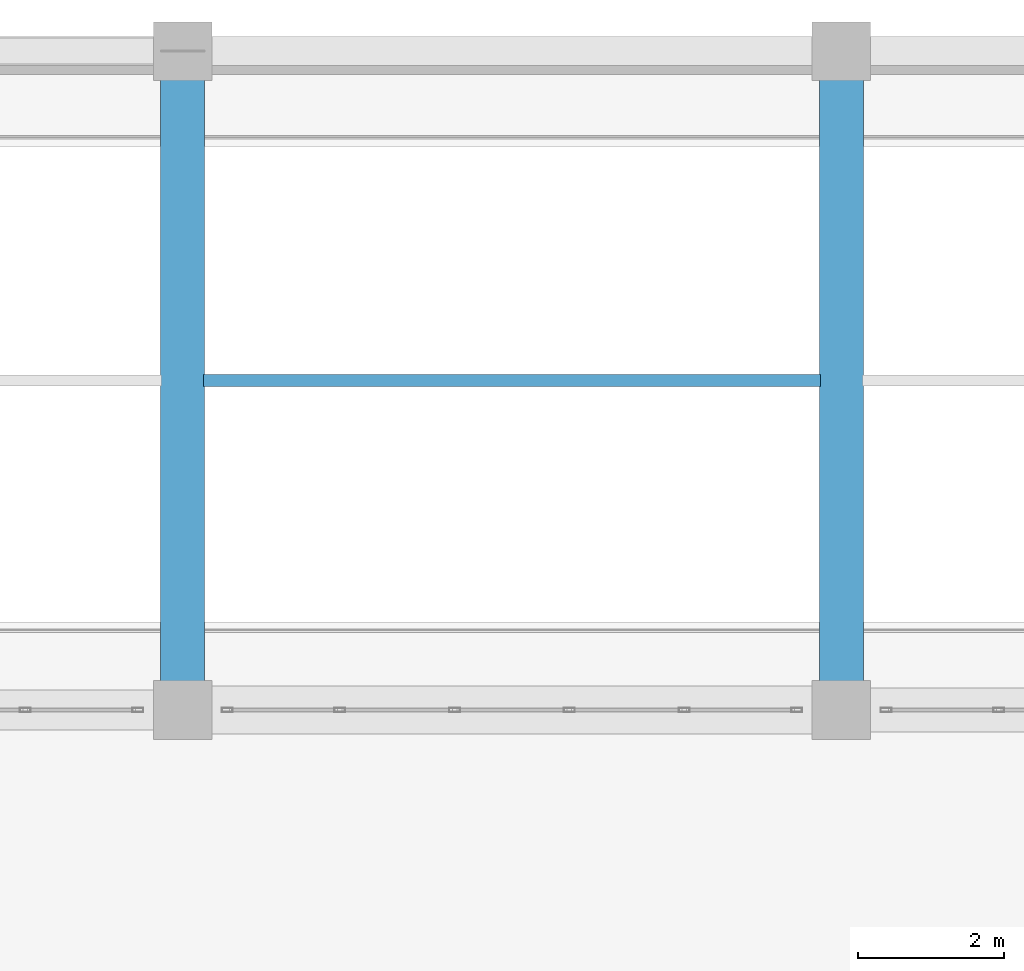
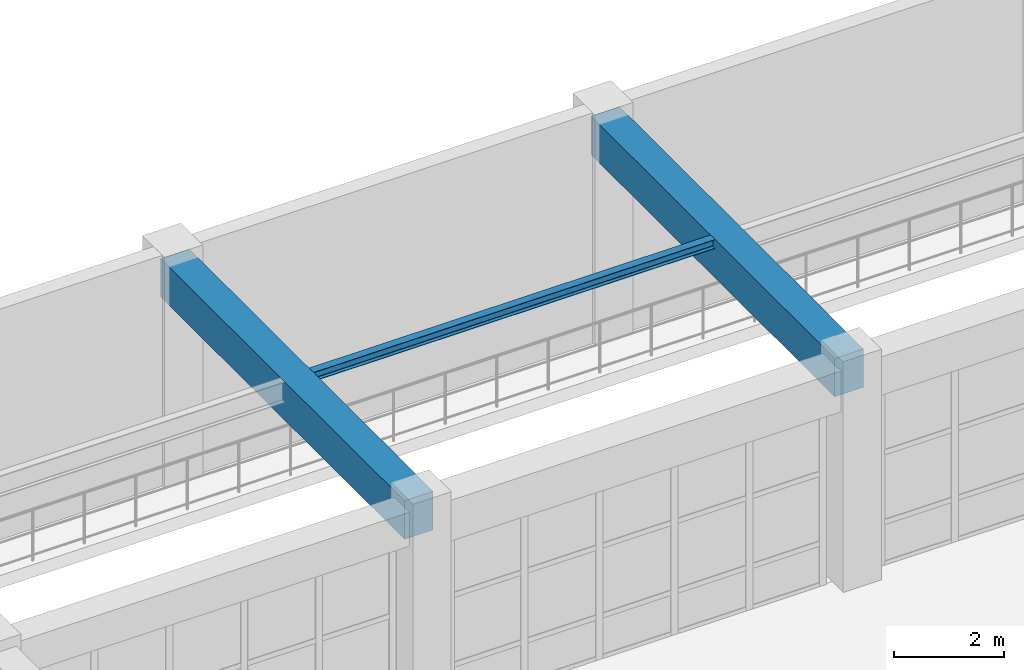
# One storey, part 64 of 128: 3 beams.
"""IFC4 building model written with IfcOpenShell, lengths in metres."""

from ifc_helpers import new_model, si_unit, direction, frame, origin, origin_2d, place, context, subcontext, project, spatial, rectangle, i_section, extrude, material, material_profile, profile_set, type_object, element, save


model = new_model("IFC4")

# Units and contexts
model_context = context("Model", 3, precision=1e-05, world=origin(), true_north=direction((0.0, 1.0)))
body_context = subcontext(model_context, "Body", "Model", "MODEL_VIEW")
ifc_project = project(units=[si_unit("LENGTHUNIT", "METRE"), si_unit("AREAUNIT", "SQUARE_METRE"), si_unit("VOLUMEUNIT", "CUBIC_METRE"), si_unit("PLANEANGLEUNIT", "RADIAN"), si_unit("MASSUNIT", "GRAM", prefix="KILO")], contexts=[model_context])

# Site, building, storey
site_placement = place(None, origin())
site = spatial("IfcSite", under=ifc_project, at=site_placement, CompositionType="ELEMENT")
building_placement = place(site_placement, origin())
building = spatial("IfcBuilding", under=site, at=building_placement, Name="Miravela Opera House", CompositionType="ELEMENT")
storey_placement = place(building_placement, origin())
storey = spatial("IfcBuildingStorey", under=building, at=storey_placement, Name="L00", CompositionType="ELEMENT", Elevation=0.0)

# Beams
ifc_material_1 = material(Name="Concrete C40/50", Category="concrete")
ifc_material_profile_1 = material_profile(ifc_material_1, rectangle(XDim=0.60009765625, YDim=0.85009765625, at=origin_2d()), Name="RC-BM-600X850")
ifc_profile_set_1 = profile_set([ifc_material_profile_1])
beam_type_1 = type_object("IfcBeamType", Name="STR-BM-RC600X850", PredefinedType="BEAM", material=ifc_profile_set_1)
for number, where, z_axis, x_axis, name in (
    (1, (36.0, 103.080078125, 4.425048828125), (0.0, 1.0, 0.0), (-1.0, 0.0, 0.0), "Floor Girder L00 5/L-M"),
    (2, (45.0, 103.080078125, 4.425048828125), (0.0, 1.0, 0.0), (-1.0, 0.0, 0.0), "Floor Girder L00 6/L-M"),
):
    element("IfcBeam", number, at=place(storey_placement, frame(where, z_axis=z_axis, x_axis=x_axis)), inside=storey, type_object=beam_type_1, Name=name, PredefinedType="BEAM", context=body_context, shape_type="SweptSolid", body=[
        extrude(rectangle(XDim=0.60009765625, YDim=0.85009765625, at=origin_2d()), origin(), (0.0, 0.0, 1.0), 8.83984375),
    ])
ifc_material_2 = material(Name="Structural steel ASTM A992 Gr. 50", Category="steel")
ifc_material_profile_2 = material_profile(ifc_material_2, i_section(OverallWidth=0.1650390625, OverallDepth=0.200927734375, WebThickness=0.006103515625, FlangeThickness=0.01025390625, FilletRadius=0.010009765625, at=origin_2d()), Name="W200X36")
ifc_profile_set_2 = profile_set([ifc_material_profile_2])
beam_type_2 = type_object("IfcBeamType", Name="STR-BM-W200X36", PredefinedType="LINTEL", material=ifc_profile_set_2)
beam_placement = place(storey_placement, frame((36.284912109375, 107.5, 4.74951171875), z_axis=(1.0, 0.0, 0.0), x_axis=(0.0, 1.0, 0.0)))
element("IfcBeam", 3, at=beam_placement, inside=storey, type_object=beam_type_2, Name="Secondary Floor Joist L00 5-6/L-M", PredefinedType="LINTEL", context=body_context, shape_type="SweptSolid", body=[
    extrude(i_section(OverallWidth=0.1650390625, OverallDepth=0.200927734375, WebThickness=0.006103515625, FlangeThickness=0.01025390625, FilletRadius=0.010009765625, at=origin_2d()), origin(), (0.0, 0.0, 1.0), 8.43017578125),
])

save(model, "model.ifc")
